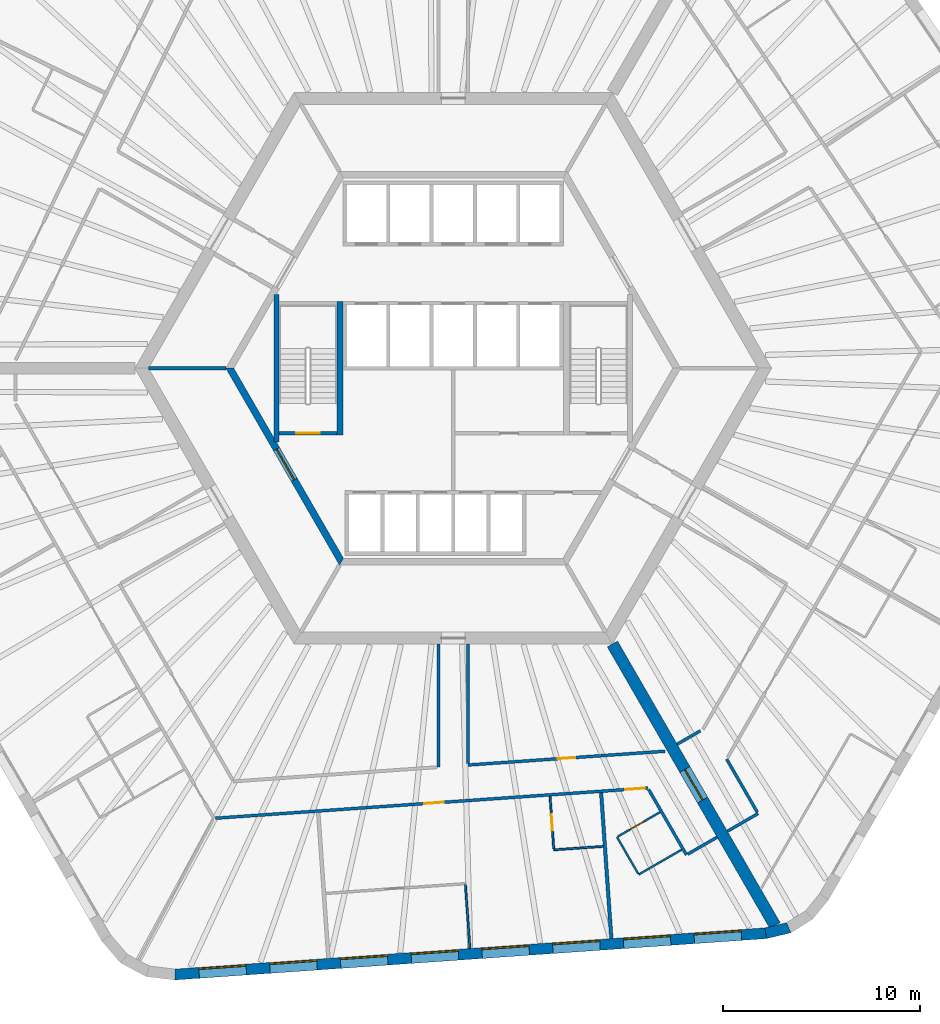
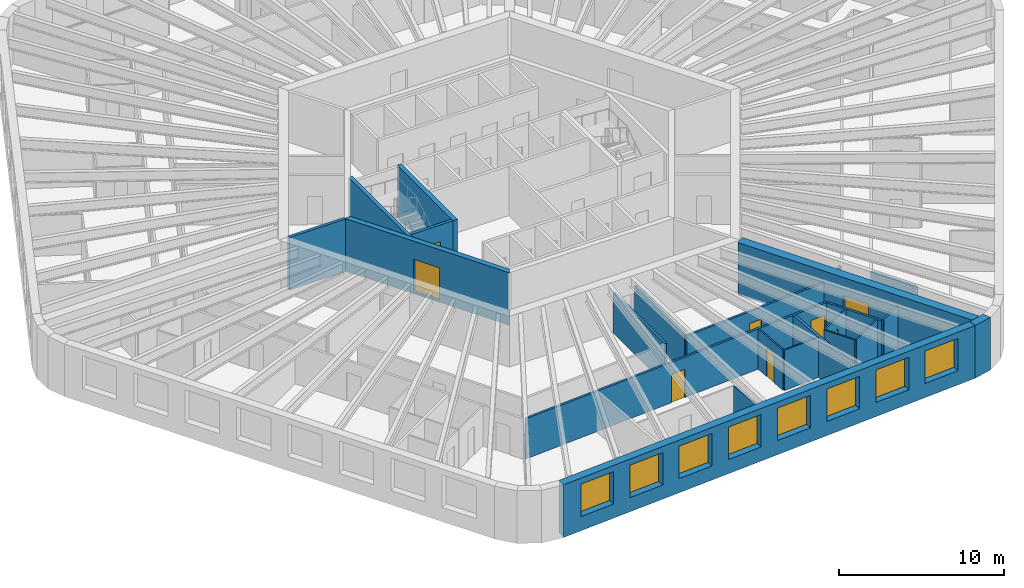
# One storey, part 4 of 12: 24 walls, 8 doors, 8 windows, 16 openings.
"""IFC4 building model written with IfcOpenShell, lengths in metres."""

from ifc_helpers import new_model, si_unit, direction, frame, frame_2d, origin, place, context, subcontext, project, spatial, polyline, rectangle, outline, extrude, material, layer, layer_set, type_object, element, fill, save


model = new_model("IFC4")

# Units and contexts
model_context = context("Model", 3, precision=1e-05, world=origin(), true_north=direction((0.0, 1.0)))
body_context = subcontext(model_context, "Body", "Model", "MODEL_VIEW")
ifc_project = project(units=[si_unit("LENGTHUNIT", "METRE"), si_unit("AREAUNIT", "SQUARE_METRE"), si_unit("VOLUMEUNIT", "CUBIC_METRE"), si_unit("PLANEANGLEUNIT", "RADIAN"), si_unit("MASSUNIT", "GRAM", prefix="KILO")], contexts=[model_context])

# Site, building, storey
site_placement = place(None, origin())
site = spatial("IfcSite", under=ifc_project, at=site_placement, CompositionType="ELEMENT")
building_placement = place(site_placement, origin())
building = spatial("IfcBuilding", under=site, at=building_placement, Name="Tarnside Tower", CompositionType="ELEMENT")
storey_placement = place(building_placement, frame((0.0, 0.0, 115.5)))
storey = spatial("IfcBuildingStorey", under=building, at=storey_placement, Name="L26", CompositionType="ELEMENT", Elevation=115.5)

# Wall
ifc_material_1 = material(Name="Gypsum board partition on steel studs", Category="steel")
ifc_layer_1 = layer(ifc_material_1, 0.10009765625)
ifc_layer_set_1 = layer_set([ifc_layer_1], Name="Bathroom wall 100")
wall_type_1 = type_object("IfcWallType", Name="Bathroom wall 100", PredefinedType="PARTITIONING", material=ifc_layer_set_1)
wall_1_placement = place(storey_placement, frame((7.611083984375, -24.2783203125, 0.0), z_axis=(0.0, 0.0, 1.0), x_axis=(-0.997565196586, -0.069740078583, 0.0)))
element("IfcWall", 1, at=wall_1_placement, inside=storey, type_object=wall_type_1, Name="Bathroom wall 08116", PredefinedType="PARTITIONING", context=body_context, shape_type="SweptSolid", body=[
    extrude(rectangle(XDim=2.510009765625, YDim=0.10009765625, at=frame_2d((1.2548828125, 0.0))), origin(), (0.0, 0.0, 1.0), 2.98779296875),
])

# Wall, opening, door
wall_2_placement = place(storey_placement, frame((5.103515625, -24.4033203125, 0.0), z_axis=(0.0, 0.0, 1.0), x_axis=(-0.069729221413, 0.997565955554, 0.0)))
wall_2 = element("IfcWall", 2, at=wall_2_placement, inside=storey, type_object=wall_type_1, Name="Bathroom wall 08117", PredefinedType="PARTITIONING", context=body_context, shape_type="SweptSolid", body=[
    extrude(rectangle(XDim=2.675048828125, YDim=0.10009765625, at=frame_2d((1.33740234375, 0.0))), origin(), (0.0, 0.0, 1.0), 2.98779296875),
])
opening_1_placement = place(wall_2_placement, frame((0.949951171875, 0.0, 0.0)))
opening_1 = element("IfcOpeningElement", 3, at=opening_1_placement, cuts=wall_2, Name="Opening D-B1", PredefinedType="OPENING", context=body_context, shape_type="SweptSolid", body=[
    extrude(rectangle(XDim=0.800048828125, YDim=2.10009765625, at=frame_2d((0.39990234375, 1.050048828125))), frame((0.0, 0.06005859375, 0.0), z_axis=(0.0, -1.0, 0.0), x_axis=(1.0, 0.0, 0.0)), (0.0, 0.0, 1.0), 0.1201171875),
])
ifc_material_2 = material(Name="Timber door leaf", Category="wood")
door_type_1 = type_object("IfcDoorType", Name="Bathroom door 800", OperationType="NOTDEFINED", PredefinedType="DOOR", material=ifc_material_2)
door_1_placement = place(opening_1_placement, origin())
door_1 = element("IfcDoor", 4, at=door_1_placement, inside=storey, type_object=door_type_1, Name="Bathroom door 08024", OperationType="SINGLE_SWING_RIGHT", OverallHeight=2.10009765625, OverallWidth=0.800048828125, PredefinedType="DOOR", context=body_context, shape_type="SweptSolid", body=[
    extrude(rectangle(XDim=0.800048828125, YDim=2.10009765625, at=frame_2d((0.39990234375, 1.050048828125))), frame((0.0, 0.02490234375, 0.0), z_axis=(0.0, -1.0, 0.0), x_axis=(1.0, 0.0, 0.0)), (0.0, 0.0, 1.0), 0.050048828125),
])
fill(opening_1, door_1)

# Walls
wall_3_placement = place(storey_placement, frame((11.6015625, -24.444580078125, 0.0), z_axis=(0.0, 0.0, 1.0), x_axis=(-0.866039067339, -0.499976333282, 0.0)))
element("IfcWall", 5, at=wall_3_placement, inside=storey, type_object=wall_type_1, Name="Bathroom wall 08122", PredefinedType="PARTITIONING", context=body_context, shape_type="SweptSolid", body=[
    extrude(rectangle(XDim=2.52490234375, YDim=0.10009765625, at=frame_2d((1.262451171875, 0.0))), origin(), (0.0, 0.0, 1.0), 2.98779296875),
])
wall_4_placement = place(storey_placement, frame((9.389892578125, -25.66357421875, 0.0), z_axis=(0.0, 0.0, 1.0), x_axis=(-0.500010803666, 0.866019166195, 0.0)))
element("IfcWall", 6, at=wall_4_placement, inside=storey, type_object=wall_type_1, Name="Bathroom wall 08123", PredefinedType="PARTITIONING", context=body_context, shape_type="SweptSolid", body=[
    extrude(rectangle(XDim=2.14990234375, YDim=0.10009765625, at=frame_2d((1.074951171875, 0.0))), origin(), (0.0, 0.0, 1.0), 2.98779296875),
])

# Wall, opening, door
wall_5_placement = place(storey_placement, frame((8.358154296875, -23.776611328125, 0.0), z_axis=(0.0, 0.0, 1.0), x_axis=(0.86604923931, 0.499958713387, 0.0)))
wall_5 = element("IfcWall", 7, at=wall_5_placement, inside=storey, type_object=wall_type_1, Name="Bathroom wall 08124", PredefinedType="PARTITIONING", context=body_context, shape_type="SweptSolid", body=[
    extrude(rectangle(XDim=2.474853515625, YDim=0.10009765625, at=frame_2d((1.2373046875, 0.0))), origin(), (0.0, 0.0, 1.0), 2.98779296875),
])
opening_2_placement = place(wall_5_placement, frame((0.719970703125, 0.0, 0.0)))
opening_2 = element("IfcOpeningElement", 8, at=opening_2_placement, cuts=wall_5, Name="Opening D-B1", PredefinedType="OPENING", context=body_context, shape_type="SweptSolid", body=[
    extrude(rectangle(XDim=0.800048828125, YDim=2.10009765625, at=frame_2d((0.39990234375, 1.050048828125))), frame((0.0, 0.06005859375, 0.0), z_axis=(0.0, -1.0, 0.0), x_axis=(1.0, 0.0, 0.0)), (0.0, 0.0, 1.0), 0.1201171875),
])
door_2_placement = place(opening_2_placement, origin())
door_2 = element("IfcDoor", 9, at=door_2_placement, inside=storey, type_object=door_type_1, Name="Bathroom door 08027", OperationType="SINGLE_SWING_RIGHT", OverallHeight=2.10009765625, OverallWidth=0.800048828125, PredefinedType="DOOR", context=body_context, shape_type="SweptSolid", body=[
    extrude(rectangle(XDim=0.800048828125, YDim=2.10009765625, at=frame_2d((0.39990234375, 1.050048828125))), frame((0.0, 0.02490234375, 0.0), z_axis=(0.0, -1.0, 0.0), x_axis=(1.0, 0.0, 0.0)), (0.0, 0.0, 1.0), 0.050048828125),
])
fill(opening_2, door_2)

ifc_material_3 = material(Name="Concrete C50/60", Category="concrete")
ifc_layer_2 = layer(ifc_material_3, 0.35009765625)
ifc_layer_set_2 = layer_set([ifc_layer_2], Name="Core block wall 350 C50/60")
wall_type_2 = type_object("IfcWallType", Name="Core block wall 350 C50/60", PredefinedType="SHEAR", material=ifc_layer_set_2)
wall_6_placement = place(storey_placement, frame((-11.344970703125, 0.0, -0.14990234375), z_axis=(0.0, 0.0, 1.0), x_axis=(0.499995046907, -0.866028263435, 0.0)))
wall_6 = element("IfcWall", 10, at=wall_6_placement, inside=storey, type_object=wall_type_2, Name="L26 core block wall face 3", PredefinedType="SHEAR", context=body_context, shape_type="SweptSolid", body=[
    extrude(outline(polyline([(-0.10107421875, -0.175048828125), (11.44580078125, -0.175048828125), (11.24365234375, 0.175048828125), (0.10107421875, 0.175048828125), (-0.10107421875, -0.175048828125)])), origin(), (0.0, 0.0, 1.0), 3.89990234375),
])
opening_3_placement = place(wall_6_placement, frame((4.74365234375, 0.0, 0.14990234375)))
opening_3 = element("IfcOpeningElement", 11, at=opening_3_placement, cuts=wall_6, Name="Opening CD-FFL", PredefinedType="OPENING", context=body_context, shape_type="SweptSolid", body=[
    extrude(rectangle(XDim=1.800048828125, YDim=2.39990234375, at=frame_2d((0.89990234375, 1.199951171875))), frame((0.0, 0.18505859375, 0.0), z_axis=(0.0, -1.0, 0.0), x_axis=(1.0, 0.0, 0.0)), (0.0, 0.0, 1.0), 0.3701171875),
])
ifc_material_4 = material(Name="Steel fire door", Category="steel")
door_type_2 = type_object("IfcDoorType", Name="Firefighting lobby double door FD60S 1800x2400", OperationType="NOTDEFINED", PredefinedType="DOOR", material=ifc_material_4)
door_3_placement = place(opening_3_placement, origin())
door_3 = element("IfcDoor", 12, at=door_3_placement, inside=storey, type_object=door_type_2, Name="L26 lobby block door P3", OperationType="DOUBLE_DOOR_SINGLE_SWING", OverallHeight=2.39990234375, OverallWidth=1.800048828125, PredefinedType="DOOR", context=body_context, shape_type="SweptSolid", body=[
    extrude(rectangle(XDim=1.800048828125, YDim=2.39990234375, at=frame_2d((0.89990234375, 1.199951171875))), frame((0.0, 0.02490234375, 0.0), z_axis=(0.0, -1.0, 0.0), x_axis=(1.0, 0.0, 0.0)), (0.0, 0.0, 1.0), 0.050048828125),
])
fill(opening_3, door_3)

ifc_material_5 = material(Name="Concrete C80/95", Category="concrete")
ifc_layer_3 = layer(ifc_material_5, 0.60009765625)
ifc_layer_set_3 = layer_set([ifc_layer_3], Name="Core wall Z1 600 C80/95")
wall_type_3 = type_object("IfcWallType", Name="Core wall Z1 600 C80/95", PredefinedType="SHEAR", material=ifc_layer_set_3)
wall_7_placement = place(storey_placement, frame((8.0830078125, -14.0, -0.14990234375), z_axis=(0.0, 0.0, 1.0), x_axis=(0.499997680643, -0.866026742862, 0.0)))
wall_7 = element("IfcWall", 13, at=wall_7_placement, inside=storey, type_object=wall_type_3, Name="L26 spine wall 3", PredefinedType="SHEAR", context=body_context, shape_type="SweptSolid", body=[
    extrude(rectangle(XDim=16.5087890625, YDim=0.60009765625, at=frame_2d((8.25439453125, 0.0))), origin(), (0.0, 0.0, 1.0), 3.89990234375),
])
opening_4_placement = place(wall_7_placement, frame((7.3544921875, 0.0, 0.14990234375)))
opening_4 = element("IfcOpeningElement", 14, at=opening_4_placement, cuts=wall_7, Name="Opening CD-SPN", PredefinedType="OPENING", context=body_context, shape_type="SweptSolid", body=[
    extrude(rectangle(XDim=1.800048828125, YDim=2.39990234375, at=frame_2d((0.89990234375, 1.199951171875))), frame((0.0, 0.31005859375, 0.0), z_axis=(0.0, -1.0, 0.0), x_axis=(1.0, 0.0, 0.0)), (0.0, 0.0, 1.0), 0.6201171875),
])
door_type_3 = type_object("IfcDoorType", Name="Spine passage double door FD60 1800x2400", OperationType="NOTDEFINED", PredefinedType="DOOR", material=ifc_material_4)
door_4_placement = place(opening_4_placement, origin())
door_4 = element("IfcDoor", 15, at=door_4_placement, inside=storey, type_object=door_type_3, Name="L26 spine passage door 3", OperationType="DOUBLE_DOOR_SINGLE_SWING", OverallHeight=2.39990234375, OverallWidth=1.800048828125, PredefinedType="DOOR", context=body_context, shape_type="SweptSolid", body=[
    extrude(rectangle(XDim=1.800048828125, YDim=2.39990234375, at=frame_2d((0.89990234375, 1.199951171875))), frame((0.0, 0.02490234375, 0.0), z_axis=(0.0, -1.0, 0.0), x_axis=(1.0, 0.0, 0.0)), (0.0, 0.0, 1.0), 0.050048828125),
])
fill(opening_4, door_4)

# Wall, openings, doors
ifc_layer_4 = layer(ifc_material_1, 0.14990234375)
ifc_layer_set_4 = layer_set([ifc_layer_4], Name="Corridor wall 150 EI 60")
wall_type_4 = type_object("IfcWallType", Name="Corridor wall 150 EI 60", PredefinedType="PARTITIONING", material=ifc_layer_set_4)
wall_8_placement = place(storey_placement, frame((-12.068115234375, -22.847412109375, 0.0), z_axis=(0.0, 0.0, 1.0), x_axis=(0.99756437486, 0.069751831595, 0.0)))
wall_8 = element("IfcWall", 16, at=wall_8_placement, inside=storey, type_object=wall_type_4, Name="Corridor wall 08033", PredefinedType="PARTITIONING", context=body_context, shape_type="SweptSolid", body=[
    extrude(rectangle(XDim=22.001708984375, YDim=0.14990234375, at=frame_2d((11.0009765625, 0.0))), origin(), (0.0, 0.0, 1.0), 2.98779296875),
])
opening_5_placement = place(wall_8_placement, frame((10.621337890625, 0.0, 0.0)))
opening_5 = element("IfcOpeningElement", 17, at=opening_5_placement, cuts=wall_8, Name="Opening D-E1", PredefinedType="OPENING", context=body_context, shape_type="SweptSolid", body=[
    extrude(rectangle(XDim=1.0, YDim=2.10009765625, at=frame_2d((0.5, 1.050048828125))), frame((0.0, 0.0849609375, 0.0), z_axis=(0.0, -1.0, 0.0), x_axis=(1.0, 0.0, 0.0)), (0.0, 0.0, 1.0), 0.169921875),
])
opening_6_placement = place(wall_8_placement, frame((20.851806640625, 0.0, 0.0)))
opening_6 = element("IfcOpeningElement", 18, at=opening_6_placement, cuts=wall_8, Name="Opening D-E1", PredefinedType="OPENING", context=body_context, shape_type="SweptSolid", body=[
    extrude(rectangle(XDim=1.0, YDim=2.10009765625, at=frame_2d((0.5, 1.050048828125))), frame((0.0, 0.0849609375, 0.0), z_axis=(0.0, -1.0, 0.0), x_axis=(1.0, 0.0, 0.0)), (0.0, 0.0, 1.0), 0.169921875),
])
door_type_4 = type_object("IfcDoorType", Name="Unit entrance door 1000 FD30S", OperationType="NOTDEFINED", PredefinedType="DOOR", material=ifc_material_2)
door_5_placement = place(opening_5_placement, origin())
door_5 = element("IfcDoor", 19, at=door_5_placement, inside=storey, type_object=door_type_4, Name="Unit door 08023", OperationType="SINGLE_SWING_RIGHT", OverallHeight=2.10009765625, OverallWidth=1.0, PredefinedType="DOOR", context=body_context, shape_type="SweptSolid", body=[
    extrude(rectangle(XDim=1.0, YDim=2.10009765625, at=frame_2d((0.5, 1.050048828125))), frame((0.0, 0.02490234375, 0.0), z_axis=(0.0, -1.0, 0.0), x_axis=(1.0, 0.0, 0.0)), (0.0, 0.0, 1.0), 0.050048828125),
])
fill(opening_5, door_5)
door_6_placement = place(opening_6_placement, origin())
door_6 = element("IfcDoor", 20, at=door_6_placement, inside=storey, type_object=door_type_4, Name="Unit door 08026", OperationType="SINGLE_SWING_LEFT", OverallHeight=2.10009765625, OverallWidth=1.0, PredefinedType="DOOR", context=body_context, shape_type="SweptSolid", body=[
    extrude(rectangle(XDim=1.0, YDim=2.10009765625, at=frame_2d((0.5, 1.050048828125))), frame((0.0, 0.02490234375, 0.0), z_axis=(0.0, -1.0, 0.0), x_axis=(1.0, 0.0, 0.0)), (0.0, 0.0, 1.0), 0.050048828125),
])
fill(opening_6, door_6)

# Walls
wall_9_placement = place(storey_placement, frame((9.921630859375, -21.385009765625, 0.0), z_axis=(0.0, 0.0, 1.0), x_axis=(0.500023335103, -0.866011930837, 0.0)))
element("IfcWall", 21, at=wall_9_placement, inside=storey, type_object=wall_type_4, Name="Corridor wall 08037", PredefinedType="PARTITIONING", context=body_context, shape_type="SweptSolid", body=[
    extrude(rectangle(XDim=3.839599609375, YDim=0.14990234375, at=frame_2d((1.919921875, 0.0))), origin(), (0.0, 0.0, 1.0), 2.98779296875),
])
wall_10_placement = place(storey_placement, frame((11.906494140625, -24.672607421875, 0.0), z_axis=(0.0, 0.0, 1.0), x_axis=(0.866013532718, 0.500020560727, 0.0)))
element("IfcWall", 22, at=wall_10_placement, inside=storey, type_object=wall_type_4, Name="Corridor wall 08039", PredefinedType="PARTITIONING", context=body_context, shape_type="SweptSolid", body=[
    extrude(rectangle(XDim=1.72509765625, YDim=0.14990234375, at=frame_2d((0.862548828125, 0.0))), origin(), (0.0, 0.0, 1.0), 2.98779296875),
])
wall_11_placement = place(storey_placement, frame((-0.75, -14.0, 0.0), z_axis=(0.0, 0.0, 1.0), x_axis=(0.0, -1.0, 0.0)))
element("IfcWall", 23, at=wall_11_placement, inside=storey, type_object=wall_type_4, Name="Corridor wall 08044", PredefinedType="PARTITIONING", context=body_context, shape_type="SweptSolid", body=[
    extrude(rectangle(XDim=6.251708984375, YDim=0.14990234375, at=frame_2d((3.1259765625, 0.0))), origin(), (0.0, 0.0, 1.0), 2.98779296875),
])

# Wall, opening, door
wall_12_placement = place(storey_placement, frame((10.75439453125, -19.447265625, 0.0), z_axis=(0.0, 0.0, 1.0), x_axis=(-0.997564830966, -0.069745308232, 0.0)))
wall_12 = element("IfcWall", 24, at=wall_12_placement, inside=storey, type_object=wall_type_4, Name="Corridor wall 08048", PredefinedType="PARTITIONING", context=body_context, shape_type="SweptSolid", body=[
    extrude(rectangle(XDim=10.02880859375, YDim=0.14990234375, at=frame_2d((5.014404296875, 0.0))), origin(), (0.0, 0.0, 1.0), 2.98779296875),
])
opening_7_placement = place(wall_12_placement, frame((4.564453125, 0.0, 0.0)))
opening_7 = element("IfcOpeningElement", 25, at=opening_7_placement, cuts=wall_12, Name="Opening D-S1", PredefinedType="OPENING", context=body_context, shape_type="SweptSolid", body=[
    extrude(rectangle(XDim=0.89990234375, YDim=2.10009765625, at=frame_2d((0.449951171875, 1.050048828125))), frame((0.0, 0.0849609375, 0.0), z_axis=(0.0, -1.0, 0.0), x_axis=(1.0, 0.0, 0.0)), (0.0, 0.0, 1.0), 0.169921875),
])
door_type_5 = type_object("IfcDoorType", Name="Service room door 900 FD30S", OperationType="NOTDEFINED", PredefinedType="DOOR", material=ifc_material_2)
door_7_placement = place(opening_7_placement, origin())
door_7 = element("IfcDoor", 26, at=door_7_placement, inside=storey, type_object=door_type_5, Name="Service door 08045", OperationType="SINGLE_SWING_LEFT", OverallHeight=2.10009765625, OverallWidth=0.89990234375, PredefinedType="DOOR", context=body_context, shape_type="SweptSolid", body=[
    extrude(rectangle(XDim=0.89990234375, YDim=2.10009765625, at=frame_2d((0.449951171875, 1.050048828125))), frame((0.0, 0.02490234375, 0.0), z_axis=(0.0, -1.0, 0.0), x_axis=(1.0, 0.0, 0.0)), (0.0, 0.0, 1.0), 0.050048828125),
])
fill(opening_7, door_7)

# Walls
wall_13_placement = place(storey_placement, frame((0.75, -20.071533203125, 0.0), z_axis=(0.0, 0.0, 1.0), x_axis=(0.0, 1.0, 0.0)))
element("IfcWall", 27, at=wall_13_placement, inside=storey, type_object=wall_type_4, Name="Corridor wall 08049", PredefinedType="PARTITIONING", context=body_context, shape_type="SweptSolid", body=[
    extrude(rectangle(XDim=6.071533203125, YDim=0.14990234375, at=frame_2d((3.03564453125, 0.0))), origin(), (0.0, 0.0, 1.0), 2.98779296875),
])
wall_14_placement = place(storey_placement, frame((13.919921875, -23.510009765625, 0.0), z_axis=(0.0, 0.0, 1.0), x_axis=(0.866047807691, 0.499961193289, 0.0)))
element("IfcWall", 28, at=wall_14_placement, inside=storey, type_object=wall_type_4, Name="Corridor wall 08050", PredefinedType="PARTITIONING", context=body_context, shape_type="SweptSolid", body=[
    extrude(rectangle(XDim=1.800048828125, YDim=0.14990234375, at=frame_2d((0.89990234375, 0.0))), origin(), (0.0, 0.0, 1.0), 2.98779296875),
])
wall_15_placement = place(storey_placement, frame((15.44140625, -22.545166015625, 0.0), z_axis=(0.0, 0.0, 1.0), x_axis=(-0.500037089193, 0.86600398927, 0.0)))
element("IfcWall", 29, at=wall_15_placement, inside=storey, type_object=wall_type_4, Name="Corridor wall 08051", PredefinedType="PARTITIONING", context=body_context, shape_type="SweptSolid", body=[
    extrude(rectangle(XDim=3.112060546875, YDim=0.14990234375, at=frame_2d((1.55615234375, 0.0))), origin(), (0.0, 0.0, 1.0), 2.98779296875),
])
wall_16_placement = place(storey_placement, frame((12.552001953125, -18.409423828125, 0.0), z_axis=(0.0, 0.0, 1.0), x_axis=(-0.866078408764, -0.499908181442, 0.0)))
element("IfcWall", 30, at=wall_16_placement, inside=storey, type_object=wall_type_4, Name="Corridor wall 08068", PredefinedType="PARTITIONING", context=body_context, shape_type="SweptSolid", body=[
    extrude(rectangle(XDim=1.365478515625, YDim=0.14990234375, at=frame_2d((0.6826171875, 0.0))), origin(), (0.0, 0.0, 1.0), 2.98779296875),
])
ifc_layer_5 = layer(ifc_material_1, 0.179931640625)
ifc_layer_set_5 = layer_set([ifc_layer_5], Name="Demising wall 180 EI 60")
wall_type_5 = type_object("IfcWallType", Name="Demising wall 180 EI 60", PredefinedType="PARTITIONING", material=ifc_layer_set_5)
wall_17_placement = place(storey_placement, frame((8.028564453125, -28.96044921875, 0.0), z_axis=(0.0, 0.0, 1.0), x_axis=(-0.069739801019, 0.99756521599, 0.0)))
element("IfcWall", 31, at=wall_17_placement, inside=storey, type_object=wall_type_5, Name="Demising wall 08120", PredefinedType="PARTITIONING", context=body_context, shape_type="SweptSolid", body=[
    extrude(rectangle(XDim=7.425048828125, YDim=0.179931640625, at=frame_2d((3.71240234375, 0.0))), origin(), (0.0, 0.0, 1.0), 2.98779296875),
])
ifc_material_6 = material(Name="Concrete C40/50", Category="concrete")
ifc_layer_6 = layer(ifc_material_6, 0.199951171875)
ifc_layer_set_6 = layer_set([ifc_layer_6], Name="Lift shaft wall 200 C40/50")
wall_type_6 = type_object("IfcWallType", Name="Lift shaft wall 200 C40/50", PredefinedType="SHEAR", material=ifc_layer_set_6)
wall_18_placement = place(storey_placement, frame((-11.547119140625, 0.0, -0.14990234375), z_axis=(0.0, 0.0, 1.0), x_axis=(-1.0, 0.0, 0.0)))
element("IfcWall", 32, at=wall_18_placement, inside=storey, type_object=wall_type_6, Name="L26 core partition AR180", PredefinedType="SHEAR", context=body_context, shape_type="SweptSolid", body=[
    extrude(rectangle(XDim=3.92578125, YDim=0.199951171875, at=frame_2d((1.962890625, 0.0))), origin(), (0.0, 0.0, 1.0), 3.89990234375),
])

# Wall, opening, door
wall_19_placement = place(storey_placement, frame((-8.85009765625, -3.300048828125, -0.25), z_axis=(0.0, 0.0, 1.0), x_axis=(1.0, 0.0, 0.0)))
wall_19 = element("IfcWall", 33, at=wall_19_placement, inside=storey, type_object=wall_type_6, Name="L26 stair 2 enclosure cap wall s", PredefinedType="SHEAR", context=body_context, shape_type="SweptSolid", body=[
    extrude(rectangle(XDim=2.9501953125, YDim=0.199951171875, at=frame_2d((1.47509765625, 0.0))), origin(), (0.0, 0.0, 1.0), 3.89990234375),
])
opening_8_placement = place(wall_19_placement, frame((0.875, 0.0, 0.25)))
opening_8 = element("IfcOpeningElement", 34, at=opening_8_placement, cuts=wall_19, Name="Opening CD-STR", PredefinedType="OPENING", context=body_context, shape_type="SweptSolid", body=[
    extrude(rectangle(XDim=1.199951171875, YDim=2.39990234375, at=frame_2d((0.60009765625, 1.199951171875))), frame((0.0, 0.10986328125, 0.0), z_axis=(0.0, -1.0, 0.0), x_axis=(1.0, 0.0, 0.0)), (0.0, 0.0, 1.0), 0.219970703125),
])
door_type_6 = type_object("IfcDoorType", Name="Stair door FD60S 1200x2400", OperationType="NOTDEFINED", PredefinedType="DOOR", material=ifc_material_4)
door_8_placement = place(opening_8_placement, origin())
door_8 = element("IfcDoor", 35, at=door_8_placement, inside=storey, type_object=door_type_6, Name="L26 stair 2 door", OperationType="SINGLE_SWING_LEFT", OverallHeight=2.39990234375, OverallWidth=1.199951171875, PredefinedType="DOOR", context=body_context, shape_type="SweptSolid", body=[
    extrude(rectangle(XDim=1.199951171875, YDim=2.39990234375, at=frame_2d((0.60009765625, 1.199951171875))), frame((0.0, 0.02490234375, 0.0), z_axis=(0.0, -1.0, 0.0), x_axis=(1.0, 0.0, 0.0)), (0.0, 0.0, 1.0), 0.050048828125),
])
fill(opening_8, door_8)

# Walls
ifc_layer_7 = layer(ifc_material_1, 0.10009765625)
ifc_layer_set_7 = layer_set([ifc_layer_7], Name="Partition 100")
wall_type_7 = type_object("IfcWallType", Name="Partition 100", PredefinedType="PARTITIONING", material=ifc_layer_set_7)
wall_20_placement = place(storey_placement, frame((0.619384765625, -26.220703125, 0.0), z_axis=(0.0, 0.0, 1.0), x_axis=(0.069789506462, -0.997561739838, 0.0)))
element("IfcWall", 36, at=wall_20_placement, inside=storey, type_object=wall_type_7, Name="Partition wall 08119", PredefinedType="PARTITIONING", context=body_context, shape_type="SweptSolid", body=[
    extrude(rectangle(XDim=3.249755859375, YDim=0.10009765625, at=frame_2d((1.625, 0.0))), origin(), (0.0, 0.0, 1.0), 2.98779296875),
])
ifc_layer_8 = layer(ifc_material_6, 0.25)
ifc_layer_set_8 = layer_set([ifc_layer_8], Name="Stair enclosure wall 250 C40/50")
wall_type_8 = type_object("IfcWallType", Name="Stair enclosure wall 250 C40/50", PredefinedType="SHEAR", material=ifc_layer_set_8)
wall_21_placement = place(storey_placement, frame((-8.97509765625, -3.7548828125, -0.25), z_axis=(0.0, 0.0, 1.0), x_axis=(0.0, 1.0, 0.0)))
element("IfcWall", 37, at=wall_21_placement, inside=storey, type_object=wall_type_8, Name="L26 stair 2 enclosure wall outer", PredefinedType="SHEAR", context=body_context, shape_type="SweptSolid", body=[
    extrude(rectangle(XDim=7.509765625, YDim=0.25, at=frame_2d((3.7548828125, 0.0))), origin(), (0.0, 0.0, 1.0), 3.89990234375),
])
ifc_layer_9 = layer(ifc_material_6, 0.300048828125)
ifc_layer_set_9 = layer_set([ifc_layer_9], Name="Stair enclosure wall 300 C40/50")
wall_type_9 = type_object("IfcWallType", Name="Stair enclosure wall 300 C40/50", PredefinedType="SHEAR", material=ifc_layer_set_9)
wall_22_placement = place(storey_placement, frame((-5.75, -3.39990234375, -0.25), z_axis=(0.0, 0.0, 1.0), x_axis=(0.0, 1.0, 0.0)))
element("IfcWall", 38, at=wall_22_placement, inside=storey, type_object=wall_type_9, Name="L26 stair 2 enclosure wall inner", PredefinedType="SHEAR", context=body_context, shape_type="SweptSolid", body=[
    extrude(rectangle(XDim=6.7998046875, YDim=0.300048828125, at=frame_2d((3.39990234375, 0.0))), origin(), (0.0, 0.0, 1.0), 3.89990234375),
])

# Wall, openings, windows
ifc_material_7 = material(Name="Facing brick", Category="masonry")
ifc_layer_10 = layer(ifc_material_7, 0.10205078125)
ifc_material_8 = material(Name="Concrete C60/75 precast", Category="concrete")
ifc_layer_11 = layer(ifc_material_8, 0.347900390625)
ifc_material_9 = material(Name="Mineral wool insulation")
ifc_layer_12 = layer(ifc_material_9, 0.10009765625)
ifc_layer_set_10 = layer_set([ifc_layer_10, ifc_layer_11, ifc_layer_12], Name="Tube wall 550 brick faced")
wall_type_10 = type_object("IfcWallType", Name="Tube wall 550 brick faced", PredefinedType="SOLIDWALL", material=ifc_layer_set_10)
wall_23_placement = place(storey_placement, frame((-14.133544921875, -30.785888671875, -0.14990234375), z_axis=(0.0, 0.0, 1.0), x_axis=(0.997564037441, 0.069756657061, 0.0)))
wall_23 = element("IfcWall", 39, at=wall_23_placement, inside=storey, type_object=wall_type_10, Name="Tube wall L26 F4 flush 12", PredefinedType="SOLIDWALL", context=body_context, shape_type="SweptSolid", body=[
    extrude(outline(polyline([(-0.025634765625, -0.27490234375), (30.093505859375, -0.27490234375), (30.048583984375, 0.27490234375), (0.025634765625, 0.27490234375), (-0.025634765625, -0.27490234375)])), origin(), (0.0, 0.0, 1.0), 3.89990234375),
])
opening_9_placement = place(wall_23_placement, frame((1.235595703125, 0.0, 1.050048828125)))
opening_9 = element("IfcOpeningElement", 40, at=opening_9_placement, cuts=wall_23, Name="Opening WH", PredefinedType="OPENING", context=body_context, shape_type="SweptSolid", body=[
    extrude(rectangle(XDim=2.39990234375, YDim=2.39990234375, at=frame_2d((1.199951171875, 1.199951171875))), frame((0.0, 0.28515625, 0.0), z_axis=(0.0, -1.0, 0.0), x_axis=(1.0, 0.0, 0.0)), (0.0, 0.0, 1.0), 0.570068359375),
])
opening_10_placement = place(wall_23_placement, frame((4.83544921875, 0.0, 1.050048828125)))
opening_10 = element("IfcOpeningElement", 41, at=opening_10_placement, cuts=wall_23, Name="Opening WH", PredefinedType="OPENING", context=body_context, shape_type="SweptSolid", body=[
    extrude(rectangle(XDim=2.39990234375, YDim=2.39990234375, at=frame_2d((1.199951171875, 1.199951171875))), frame((0.0, 0.28515625, 0.0), z_axis=(0.0, -1.0, 0.0), x_axis=(1.0, 0.0, 0.0)), (0.0, 0.0, 1.0), 0.570068359375),
])
opening_11_placement = place(wall_23_placement, frame((8.435546875, 0.0, 1.050048828125)))
opening_11 = element("IfcOpeningElement", 42, at=opening_11_placement, cuts=wall_23, Name="Opening WH", PredefinedType="OPENING", context=body_context, shape_type="SweptSolid", body=[
    extrude(rectangle(XDim=2.39990234375, YDim=2.39990234375, at=frame_2d((1.199951171875, 1.199951171875))), frame((0.0, 0.28515625, 0.0), z_axis=(0.0, -1.0, 0.0), x_axis=(1.0, 0.0, 0.0)), (0.0, 0.0, 1.0), 0.570068359375),
])
opening_12_placement = place(wall_23_placement, frame((12.035400390625, 0.0, 1.050048828125)))
opening_12 = element("IfcOpeningElement", 43, at=opening_12_placement, cuts=wall_23, Name="Opening WH", PredefinedType="OPENING", context=body_context, shape_type="SweptSolid", body=[
    extrude(rectangle(XDim=2.39990234375, YDim=2.39990234375, at=frame_2d((1.199951171875, 1.199951171875))), frame((0.0, 0.28515625, 0.0), z_axis=(0.0, -1.0, 0.0), x_axis=(1.0, 0.0, 0.0)), (0.0, 0.0, 1.0), 0.570068359375),
])
opening_13_placement = place(wall_23_placement, frame((15.635498046875, 0.0, 1.050048828125)))
opening_13 = element("IfcOpeningElement", 44, at=opening_13_placement, cuts=wall_23, Name="Opening WH", PredefinedType="OPENING", context=body_context, shape_type="SweptSolid", body=[
    extrude(rectangle(XDim=2.39990234375, YDim=2.39990234375, at=frame_2d((1.199951171875, 1.199951171875))), frame((0.0, 0.28515625, 0.0), z_axis=(0.0, -1.0, 0.0), x_axis=(1.0, 0.0, 0.0)), (0.0, 0.0, 1.0), 0.570068359375),
])
opening_14_placement = place(wall_23_placement, frame((19.235595703125, 0.0, 1.050048828125)))
opening_14 = element("IfcOpeningElement", 45, at=opening_14_placement, cuts=wall_23, Name="Opening WH", PredefinedType="OPENING", context=body_context, shape_type="SweptSolid", body=[
    extrude(rectangle(XDim=2.39990234375, YDim=2.39990234375, at=frame_2d((1.199951171875, 1.199951171875))), frame((0.0, 0.28515625, 0.0), z_axis=(0.0, -1.0, 0.0), x_axis=(1.0, 0.0, 0.0)), (0.0, 0.0, 1.0), 0.570068359375),
])
opening_15_placement = place(wall_23_placement, frame((22.83544921875, 0.0, 1.050048828125)))
opening_15 = element("IfcOpeningElement", 46, at=opening_15_placement, cuts=wall_23, Name="Opening WH", PredefinedType="OPENING", context=body_context, shape_type="SweptSolid", body=[
    extrude(rectangle(XDim=2.39990234375, YDim=2.39990234375, at=frame_2d((1.199951171875, 1.199951171875))), frame((0.0, 0.28515625, 0.0), z_axis=(0.0, -1.0, 0.0), x_axis=(1.0, 0.0, 0.0)), (0.0, 0.0, 1.0), 0.570068359375),
])
opening_16_placement = place(wall_23_placement, frame((26.435546875, 0.0, 1.050048828125)))
opening_16 = element("IfcOpeningElement", 47, at=opening_16_placement, cuts=wall_23, Name="Opening WH", PredefinedType="OPENING", context=body_context, shape_type="SweptSolid", body=[
    extrude(rectangle(XDim=2.39990234375, YDim=2.39990234375, at=frame_2d((1.199951171875, 1.199951171875))), frame((0.0, 0.28515625, 0.0), z_axis=(0.0, -1.0, 0.0), x_axis=(1.0, 0.0, 0.0)), (0.0, 0.0, 1.0), 0.570068359375),
])
ifc_material_10 = material(Name="Aluminium-framed double glazing", Category="aluminium")
window_type = type_object("IfcWindowType", Name="Hotel window 2400 x 2400", PartitioningType="DOUBLE_PANEL_VERTICAL", PredefinedType="WINDOW", material=ifc_material_10)
window_1_placement = place(opening_9_placement, frame((0.0, 0.205078125, 0.0)))
window_1 = element("IfcWindow", 48, at=window_1_placement, inside=storey, type_object=window_type, Name="E.WN.L26.F4.00", OverallHeight=2.39990234375, OverallWidth=2.39990234375, PartitioningType="DOUBLE_PANEL_VERTICAL", PredefinedType="WINDOW", context=body_context, shape_type="SweptSolid", body=[
    extrude(rectangle(XDim=2.39990234375, YDim=2.39990234375, at=frame_2d((1.199951171875, 1.199951171875))), frame((0.0, 0.030029296875, 0.0), z_axis=(0.0, -1.0, 0.0), x_axis=(1.0, 0.0, 0.0)), (0.0, 0.0, 1.0), 0.06005859375),
])
fill(opening_9, window_1)
window_2_placement = place(opening_10_placement, frame((0.0, 0.205078125, 0.0)))
window_2 = element("IfcWindow", 49, at=window_2_placement, inside=storey, type_object=window_type, Name="E.WN.L26.F4.01", OverallHeight=2.39990234375, OverallWidth=2.39990234375, PartitioningType="DOUBLE_PANEL_VERTICAL", PredefinedType="WINDOW", context=body_context, shape_type="SweptSolid", body=[
    extrude(rectangle(XDim=2.39990234375, YDim=2.39990234375, at=frame_2d((1.199951171875, 1.199951171875))), frame((0.0, 0.030029296875, 0.0), z_axis=(0.0, -1.0, 0.0), x_axis=(1.0, 0.0, 0.0)), (0.0, 0.0, 1.0), 0.06005859375),
])
fill(opening_10, window_2)
window_3_placement = place(opening_11_placement, frame((0.0, 0.205078125, 0.0)))
window_3 = element("IfcWindow", 50, at=window_3_placement, inside=storey, type_object=window_type, Name="E.WN.L26.F4.02", OverallHeight=2.39990234375, OverallWidth=2.39990234375, PartitioningType="DOUBLE_PANEL_VERTICAL", PredefinedType="WINDOW", context=body_context, shape_type="SweptSolid", body=[
    extrude(rectangle(XDim=2.39990234375, YDim=2.39990234375, at=frame_2d((1.199951171875, 1.199951171875))), frame((0.0, 0.030029296875, 0.0), z_axis=(0.0, -1.0, 0.0), x_axis=(1.0, 0.0, 0.0)), (0.0, 0.0, 1.0), 0.06005859375),
])
fill(opening_11, window_3)
window_4_placement = place(opening_12_placement, frame((0.0, 0.205078125, 0.0)))
window_4 = element("IfcWindow", 51, at=window_4_placement, inside=storey, type_object=window_type, Name="E.WN.L26.F4.03", OverallHeight=2.39990234375, OverallWidth=2.39990234375, PartitioningType="DOUBLE_PANEL_VERTICAL", PredefinedType="WINDOW", context=body_context, shape_type="SweptSolid", body=[
    extrude(rectangle(XDim=2.39990234375, YDim=2.39990234375, at=frame_2d((1.199951171875, 1.199951171875))), frame((0.0, 0.030029296875, 0.0), z_axis=(0.0, -1.0, 0.0), x_axis=(1.0, 0.0, 0.0)), (0.0, 0.0, 1.0), 0.06005859375),
])
fill(opening_12, window_4)
window_5_placement = place(opening_13_placement, frame((0.0, 0.205078125, 0.0)))
window_5 = element("IfcWindow", 52, at=window_5_placement, inside=storey, type_object=window_type, Name="E.WN.L26.F4.04", OverallHeight=2.39990234375, OverallWidth=2.39990234375, PartitioningType="DOUBLE_PANEL_VERTICAL", PredefinedType="WINDOW", context=body_context, shape_type="SweptSolid", body=[
    extrude(rectangle(XDim=2.39990234375, YDim=2.39990234375, at=frame_2d((1.199951171875, 1.199951171875))), frame((0.0, 0.030029296875, 0.0), z_axis=(0.0, -1.0, 0.0), x_axis=(1.0, 0.0, 0.0)), (0.0, 0.0, 1.0), 0.06005859375),
])
fill(opening_13, window_5)
window_6_placement = place(opening_14_placement, frame((0.0, 0.205078125, 0.0)))
window_6 = element("IfcWindow", 53, at=window_6_placement, inside=storey, type_object=window_type, Name="E.WN.L26.F4.05", OverallHeight=2.39990234375, OverallWidth=2.39990234375, PartitioningType="DOUBLE_PANEL_VERTICAL", PredefinedType="WINDOW", context=body_context, shape_type="SweptSolid", body=[
    extrude(rectangle(XDim=2.39990234375, YDim=2.39990234375, at=frame_2d((1.199951171875, 1.199951171875))), frame((0.0, 0.030029296875, 0.0), z_axis=(0.0, -1.0, 0.0), x_axis=(1.0, 0.0, 0.0)), (0.0, 0.0, 1.0), 0.06005859375),
])
fill(opening_14, window_6)
window_7_placement = place(opening_15_placement, frame((0.0, 0.205078125, 0.0)))
window_7 = element("IfcWindow", 54, at=window_7_placement, inside=storey, type_object=window_type, Name="E.WN.L26.F4.06", OverallHeight=2.39990234375, OverallWidth=2.39990234375, PartitioningType="DOUBLE_PANEL_VERTICAL", PredefinedType="WINDOW", context=body_context, shape_type="SweptSolid", body=[
    extrude(rectangle(XDim=2.39990234375, YDim=2.39990234375, at=frame_2d((1.199951171875, 1.199951171875))), frame((0.0, 0.030029296875, 0.0), z_axis=(0.0, -1.0, 0.0), x_axis=(1.0, 0.0, 0.0)), (0.0, 0.0, 1.0), 0.06005859375),
])
fill(opening_15, window_7)
window_8_placement = place(opening_16_placement, frame((0.0, 0.205078125, 0.0)))
window_8 = element("IfcWindow", 55, at=window_8_placement, inside=storey, type_object=window_type, Name="E.WN.L26.F4.07", OverallHeight=2.39990234375, OverallWidth=2.39990234375, PartitioningType="DOUBLE_PANEL_VERTICAL", PredefinedType="WINDOW", context=body_context, shape_type="SweptSolid", body=[
    extrude(rectangle(XDim=2.39990234375, YDim=2.39990234375, at=frame_2d((1.199951171875, 1.199951171875))), frame((0.0, 0.030029296875, 0.0), z_axis=(0.0, -1.0, 0.0), x_axis=(1.0, 0.0, 0.0)), (0.0, 0.0, 1.0), 0.06005859375),
])
fill(opening_16, window_8)

# Wall
wall_24_placement = place(storey_placement, frame((15.8642578125, -28.688232421875, -0.14990234375), z_axis=(0.0, 0.0, 1.0), x_axis=(0.973063591128, 0.230536868247, 0.0)))
element("IfcWall", 56, at=wall_24_placement, inside=storey, type_object=wall_type_10, Name="Tube wall L26 F4 chord 13", PredefinedType="SOLIDWALL", context=body_context, shape_type="SweptSolid", body=[
    extrude(outline(polyline([(-0.0224609375, -0.27490234375), (1.25341796875, -0.27490234375), (1.1630859375, 0.27490234375), (0.0224609375, 0.27490234375), (-0.0224609375, -0.27490234375)])), origin(), (0.0, 0.0, 1.0), 3.89990234375),
])

save(model, "model.ifc")
